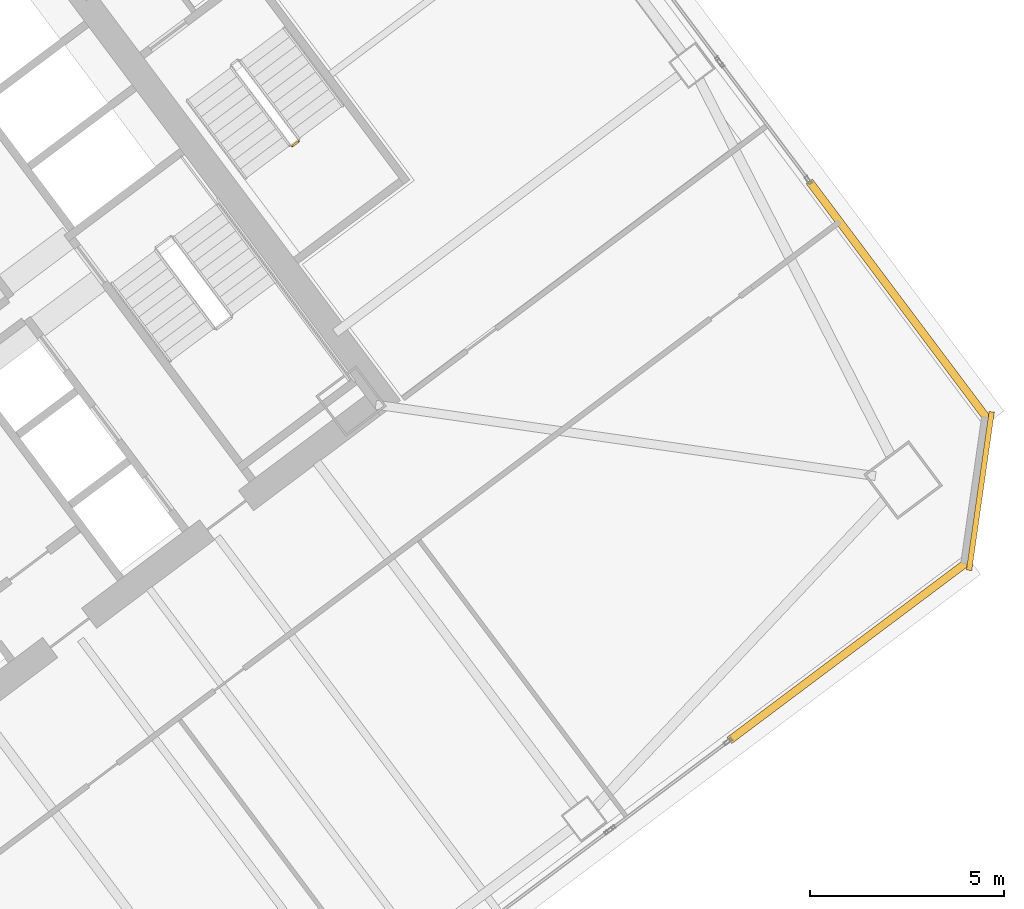
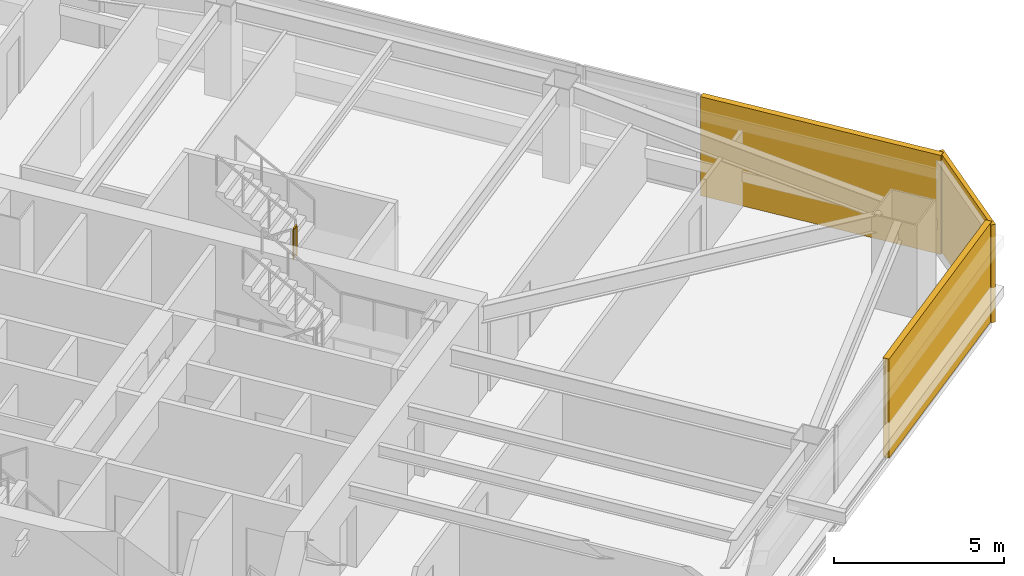
# One storey, part 42 of 44: 3 coverings, 1 railing.
"""IFC4 building model written with IfcOpenShell, lengths in metres."""

from ifc_helpers import new_model, si_unit, direction, frame, origin, origin_2d, place, context, subcontext, project, spatial, rectangle, extrude, material, layer, layer_set, type_object, element, save


model = new_model("IFC4")

# Units and contexts
model_context = context("Model", 3, precision=1e-05, world=origin(), true_north=direction((0.0, 1.0)))
body_context = subcontext(model_context, "Body", "Model", "MODEL_VIEW")
ifc_project = project(units=[si_unit("LENGTHUNIT", "METRE"), si_unit("AREAUNIT", "SQUARE_METRE"), si_unit("VOLUMEUNIT", "CUBIC_METRE"), si_unit("PLANEANGLEUNIT", "RADIAN"), si_unit("MASSUNIT", "GRAM", prefix="KILO")], contexts=[model_context])

# Site, building, storey
site_placement = place(None, origin())
site = spatial("IfcSite", under=ifc_project, at=site_placement, CompositionType="ELEMENT")
building_placement = place(site_placement, origin())
building = spatial("IfcBuilding", under=site, at=building_placement, Name="Tashvorn Skyway Center", CompositionType="ELEMENT")
storey_placement = place(building_placement, frame((0.0, 0.0, 74.300048828125)))
storey = spatial("IfcBuildingStorey", under=building, at=storey_placement, Name="L19", CompositionType="ELEMENT", Elevation=74.300048828125)

# Coverings
ifc_material_1 = material(Name="Precast concrete C40/50", Category="concrete")
ifc_layer_1 = layer(ifc_material_1, 0.199951171875)
ifc_layer_set_1 = layer_set([ifc_layer_1], Name="Precast concrete C40/50")
covering_type_1 = type_object("IfcCoveringType", Name="COV-BRACE-CLAD", PredefinedType="CLADDING", material=ifc_layer_set_1)
for number, where, z_axis, x_axis, name in (
    (1, (136.679931640625, 24.159912109375, 0.0), (0.0, 0.0, 1.0), (-0.799999996291, -0.600000004945, 0.0), "Tower 2 L19 South Unitised Curtain Wall Mega-Brace Cladding Band 1"),
    (2, (137.968017578125, 33.176025390625, 0.0), (0.0, 0.0, 1.0), (0.600000004945, -0.799999996291, 0.0), "Tower 2 L19 East Unitised Curtain Wall Mega-Brace Cladding Band 2"),
):
    element("IfcCovering", number, at=place(storey_placement, frame(where, z_axis=z_axis, x_axis=x_axis)), inside=storey, type_object=covering_type_1, Name=name, PredefinedType="CLADDING", context=body_context, shape_type="SweptSolid", body=[
        extrude(rectangle(XDim=7.679931640625, YDim=0.199951171875, at=origin_2d()), origin(), (0.0, 0.0, 1.0), 3.550048828125),
    ])
ifc_layer_2 = layer(ifc_material_1, 0.35009765625)
ifc_layer_set_2 = layer_set([ifc_layer_2], Name="Precast concrete C40/50")
covering_type_2 = type_object("IfcCoveringType", Name="COV-STONE-TRIM", PredefinedType="CLADDING", material=ifc_layer_set_2)
covering_placement = place(storey_placement, frame((140.068115234375, 28.27587890625, 0.02001953125), z_axis=(0.0, 0.0, 1.0), x_axis=(0.141421350118, 0.989949494535, 0.0)))
element("IfcCovering", 3, at=covering_placement, inside=storey, type_object=covering_type_2, Name="Tower 2 L19 SE Mojave Limestone Corner Quoin", PredefinedType="CLADDING", context=body_context, shape_type="SweptSolid", body=[
    extrude(rectangle(XDim=4.119873046875, YDim=0.139892578125, at=origin_2d()), origin(), (0.0, 0.0, 1.0), 3.510009765625),
])

# Railing
ifc_material_2 = material(Name="Painted galvanized steel S355", Category="steel")
railing_type = type_object("IfcRailingType", Name="RAIL-STGUARD-1100", PredefinedType="GUARDRAIL", material=ifc_material_2)
railing_placement = place(storey_placement, frame((122.35791015625, 37.156005859375, 1.77490234375)))
element("IfcRailing", 4, at=railing_placement, inside=storey, type_object=railing_type, Name="L19 ST-T2-3 stair guard 2", PredefinedType="GUARDRAIL", context=body_context, shape_type="SweptSolid", body=[
    extrude(rectangle(XDim=0.048095703125, YDim=0.048095703125, at=origin_2d()), frame((0.0, 0.0, 1.076171875), z_axis=(0.800585412921, 0.599218655098, 0.0), x_axis=(-0.599218655098, 0.800585412921, 0.0)), (0.0, 0.0, 1.0), 0.199951171875),
    extrude(rectangle(XDim=0.0419921875, YDim=0.0419921875, at=origin_2d()), origin(), (0.0, 0.0, 1.0), 1.052001953125),
    extrude(rectangle(XDim=0.0419921875, YDim=0.0419921875, at=origin_2d()), frame((0.16015625, 0.119873046875, 0.0)), (0.0, 0.0, 1.0), 1.052001953125),
])

save(model, "model.ifc")
